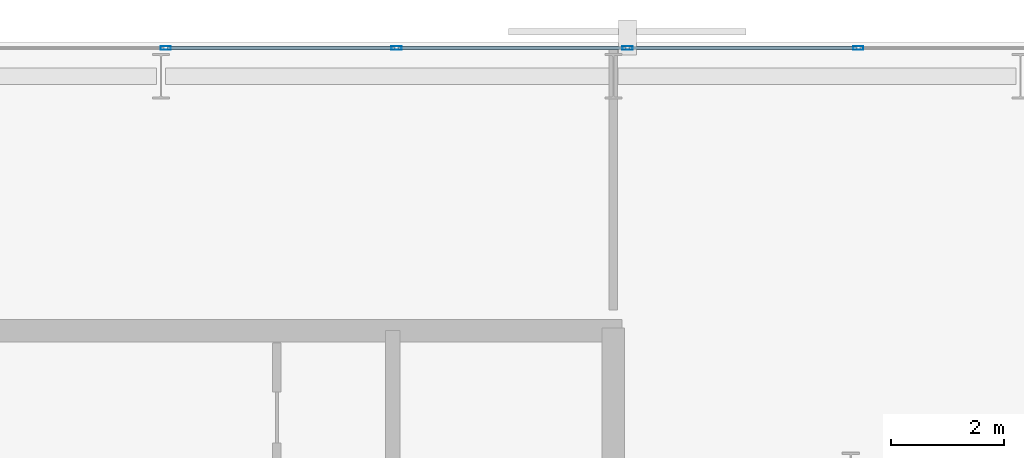
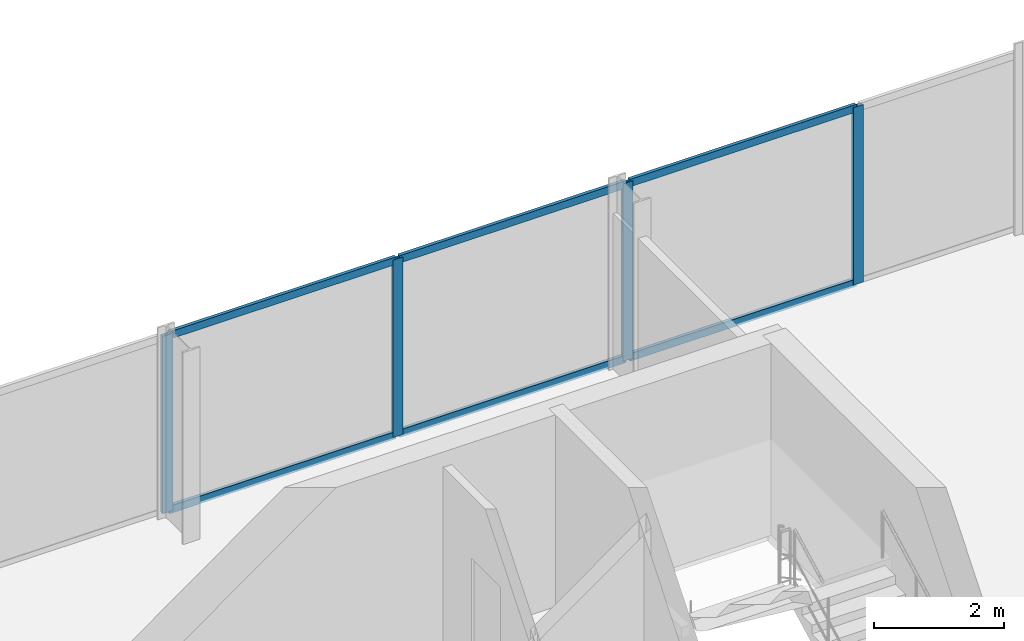
# One storey, part 25 of 32: 10 members, 1 element without a shape of its own.
"""IFC4 building model written with IfcOpenShell, lengths in metres."""

from ifc_helpers import new_model, si_unit, direction, frame, origin, origin_2d, place, context, subcontext, project, spatial, hollow_rectangle, extrude, material, layer, layer_set, material_profile, profile_set, type_object, element, aggregate, save


model = new_model("IFC4")

# Units and contexts
model_context = context("Model", 3, precision=1e-05, world=origin(), true_north=direction((0.0, 1.0)))
body_context = subcontext(model_context, "Body", "Model", "MODEL_VIEW")
ifc_project = project(units=[si_unit("LENGTHUNIT", "METRE"), si_unit("AREAUNIT", "SQUARE_METRE"), si_unit("VOLUMEUNIT", "CUBIC_METRE"), si_unit("PLANEANGLEUNIT", "RADIAN"), si_unit("MASSUNIT", "GRAM", prefix="KILO")], contexts=[model_context])

# Site, building, storey
site_placement = place(None, origin())
site = spatial("IfcSite", under=ifc_project, at=site_placement, CompositionType="ELEMENT")
building_placement = place(site_placement, origin())
building = spatial("IfcBuilding", under=site, at=building_placement, Name="Catumbela Crestline Tower", CompositionType="ELEMENT")
storey_placement = place(building_placement, frame((0.0, 0.0, 69.0)))
storey = spatial("IfcBuildingStorey", under=building, at=storey_placement, Name="L17", CompositionType="ELEMENT", Elevation=69.0)

# Curtain wall, members
ifc_material = material(Name="Aluminium alloy AW-6060-T66", Category="aluminium")
ifc_layer = layer(ifc_material, 0.18, Name="Aluminium alloy AW-6060-T66")
ifc_layer_set = layer_set([ifc_layer], Name="Aluminium alloy AW-6060-T66")
curtain_wall_type = type_object("IfcCurtainWallType", Name="CWU-Z1", PredefinedType="USERDEFINED", material=ifc_layer_set)
curtain_wall_placement = place(storey_placement, origin())
curtain_wall = element("IfcCurtainWall", 1, at=curtain_wall_placement, inside=storey, type_object=curtain_wall_type, Name="L17 Unitised Curtain Wall CW-L17-E7S1", ObjectType="UNITISED", PredefinedType="USERDEFINED")
ifc_material_profile_1 = material_profile(ifc_material, hollow_rectangle(XDim=0.065, YDim=0.18, WallThickness=0.004, at=origin_2d()), Name="ALU 180x65x4")
ifc_profile_set_1 = profile_set([ifc_material_profile_1], Name="Aluminium alloy AW-6060-T66")
member_type_1 = type_object("IfcMemberType", Name="MUL-180X65", PredefinedType="MULLION", material=ifc_profile_set_1)
member_1_placement = place(storey_placement, frame((44.3333, 47.9, 0.0), z_axis=(0.0, 0.0, 1.0), x_axis=(0.0, -1.0, 0.0)))
member_1 = element("IfcMember", 2, at=member_1_placement, type_object=member_type_1, Name="CWU-Z1 mullion 3", PredefinedType="MULLION", context=body_context, shape_type="SweptSolid", body=[
    extrude(hollow_rectangle(XDim=0.065, YDim=0.18, WallThickness=0.004, at=origin_2d()), origin(), (0.0, 0.0, 1.0), 3.33),
])
member_2_placement = place(storey_placement, frame((40.25, 47.9, 0.0), z_axis=(0.0, 0.0, 1.0), x_axis=(0.0, -1.0, 0.0)))
member_2 = element("IfcMember", 3, at=member_2_placement, type_object=member_type_1, Name="CWU-Z1 mullion 4", PredefinedType="MULLION", context=body_context, shape_type="SweptSolid", body=[
    extrude(hollow_rectangle(XDim=0.065, YDim=0.18, WallThickness=0.004, at=origin_2d()), origin(), (0.0, 0.0, 1.0), 3.33),
])
member_3_placement = place(storey_placement, frame((36.1667, 47.9, 0.0), z_axis=(0.0, 0.0, 1.0), x_axis=(0.0, -1.0, 0.0)))
member_3 = element("IfcMember", 4, at=member_3_placement, type_object=member_type_1, Name="CWU-Z1 mullion 5", PredefinedType="MULLION", context=body_context, shape_type="SweptSolid", body=[
    extrude(hollow_rectangle(XDim=0.065, YDim=0.18, WallThickness=0.004, at=origin_2d()), origin(), (0.0, 0.0, 1.0), 3.33),
])
member_4_placement = place(storey_placement, frame((32.0833, 47.9, 0.0), z_axis=(0.0, 0.0, 1.0), x_axis=(0.0, -1.0, 0.0)))
member_4 = element("IfcMember", 5, at=member_4_placement, type_object=member_type_1, Name="CWU-Z1 mullion 6", PredefinedType="MULLION", context=body_context, shape_type="SweptSolid", body=[
    extrude(hollow_rectangle(XDim=0.065, YDim=0.18, WallThickness=0.004, at=origin_2d()), origin(), (0.0, 0.0, 1.0), 3.33),
])
ifc_material_profile_2 = material_profile(ifc_material, hollow_rectangle(XDim=0.06, YDim=0.14, WallThickness=0.004, at=origin_2d()), Name="ALU 140x60x4")
ifc_profile_set_2 = profile_set([ifc_material_profile_2], Name="Aluminium alloy AW-6060-T66")
member_type_2 = type_object("IfcMemberType", Name="TRN-140X60", PredefinedType="USERDEFINED", material=ifc_profile_set_2)
member_5_placement = place(storey_placement, frame((44.3008, 47.9, 0.03), z_axis=(-1.0, 0.0, 0.0), x_axis=(0.0, -1.0, 0.0)))
member_5 = element("IfcMember", 6, at=member_5_placement, type_object=member_type_2, Name="CWU-Z1 transom 3.1", ObjectType="TRANSOM", PredefinedType="USERDEFINED", context=body_context, shape_type="SweptSolid", body=[
    extrude(hollow_rectangle(XDim=0.06, YDim=0.14, WallThickness=0.004, at=origin_2d()), origin(), (0.0, 0.0, 1.0), 4.0183),
])
member_6_placement = place(storey_placement, frame((44.3008, 47.9, 3.3), z_axis=(-1.0, 0.0, 0.0), x_axis=(0.0, -1.0, 0.0)))
member_6 = element("IfcMember", 7, at=member_6_placement, type_object=member_type_2, Name="CWU-Z1 transom 3.2", ObjectType="TRANSOM", PredefinedType="USERDEFINED", context=body_context, shape_type="SweptSolid", body=[
    extrude(hollow_rectangle(XDim=0.06, YDim=0.14, WallThickness=0.004, at=origin_2d()), origin(), (0.0, 0.0, 1.0), 4.0183),
])
member_7_placement = place(storey_placement, frame((40.2175, 47.9, 0.03), z_axis=(-1.0, 0.0, 0.0), x_axis=(0.0, -1.0, 0.0)))
member_7 = element("IfcMember", 8, at=member_7_placement, type_object=member_type_2, Name="CWU-Z1 transom 4.1", ObjectType="TRANSOM", PredefinedType="USERDEFINED", context=body_context, shape_type="SweptSolid", body=[
    extrude(hollow_rectangle(XDim=0.06, YDim=0.14, WallThickness=0.004, at=origin_2d()), origin(), (0.0, 0.0, 1.0), 4.0183),
])
member_8_placement = place(storey_placement, frame((40.2175, 47.9, 3.3), z_axis=(-1.0, 0.0, 0.0), x_axis=(0.0, -1.0, 0.0)))
member_8 = element("IfcMember", 9, at=member_8_placement, type_object=member_type_2, Name="CWU-Z1 transom 4.2", ObjectType="TRANSOM", PredefinedType="USERDEFINED", context=body_context, shape_type="SweptSolid", body=[
    extrude(hollow_rectangle(XDim=0.06, YDim=0.14, WallThickness=0.004, at=origin_2d()), origin(), (0.0, 0.0, 1.0), 4.0183),
])
member_9_placement = place(storey_placement, frame((36.1342, 47.9, 0.03), z_axis=(-1.0, 0.0, 0.0), x_axis=(0.0, -1.0, 0.0)))
member_9 = element("IfcMember", 10, at=member_9_placement, type_object=member_type_2, Name="CWU-Z1 transom 5.1", ObjectType="TRANSOM", PredefinedType="USERDEFINED", context=body_context, shape_type="SweptSolid", body=[
    extrude(hollow_rectangle(XDim=0.06, YDim=0.14, WallThickness=0.004, at=origin_2d()), origin(), (0.0, 0.0, 1.0), 4.0184),
])
member_10_placement = place(storey_placement, frame((36.1342, 47.9, 3.3), z_axis=(-1.0, 0.0, 0.0), x_axis=(0.0, -1.0, 0.0)))
member_10 = element("IfcMember", 11, at=member_10_placement, type_object=member_type_2, Name="CWU-Z1 transom 5.2", ObjectType="TRANSOM", PredefinedType="USERDEFINED", context=body_context, shape_type="SweptSolid", body=[
    extrude(hollow_rectangle(XDim=0.06, YDim=0.14, WallThickness=0.004, at=origin_2d()), origin(), (0.0, 0.0, 1.0), 4.0184),
])
aggregate(curtain_wall, [member_1, member_2, member_3, member_4, member_5, member_6, member_7, member_8, member_9, member_10])

save(model, "model.ifc")
